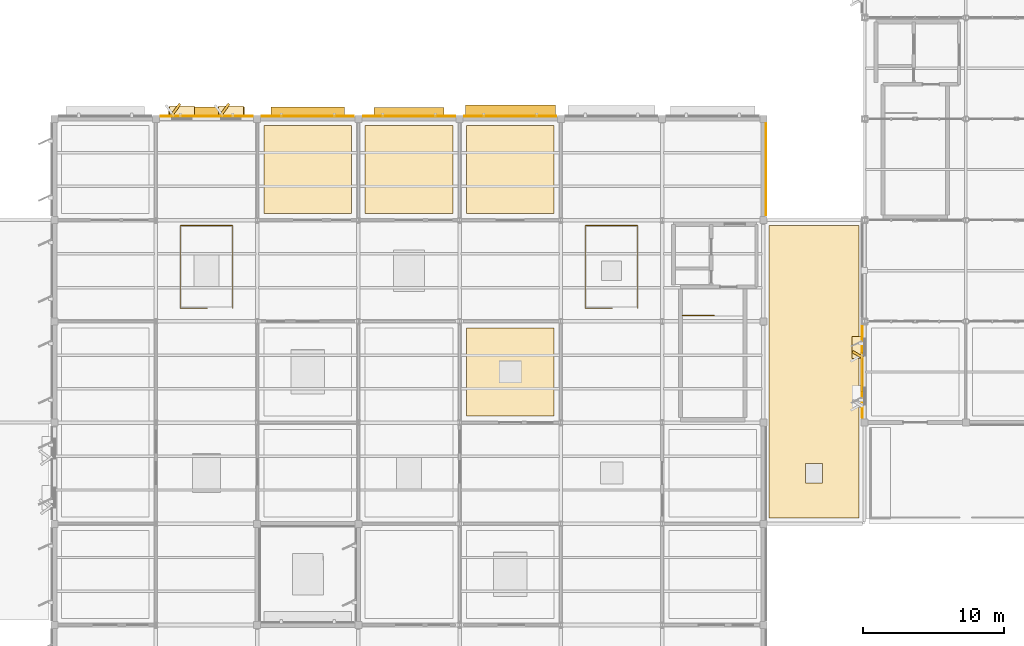
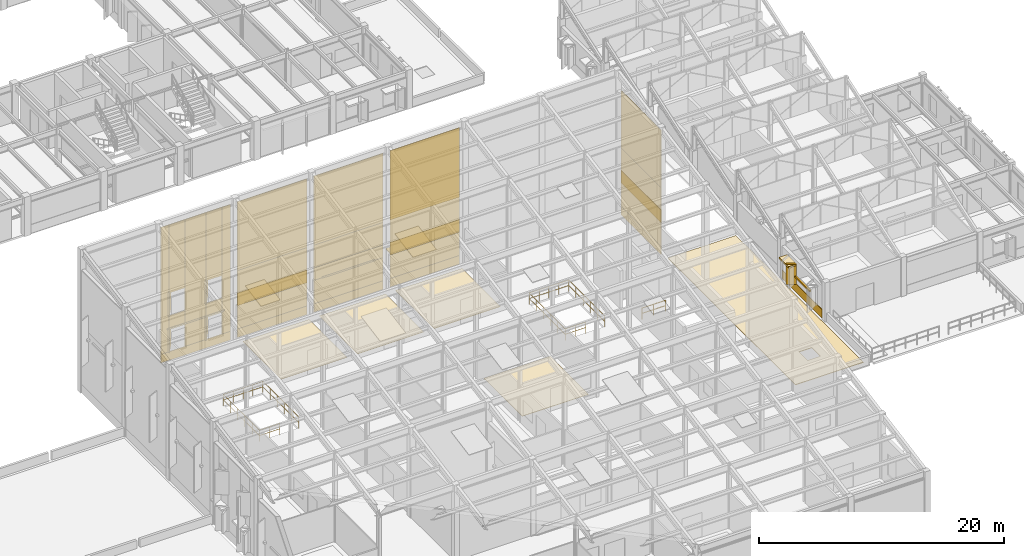
# One storey, part 75 of 82: 36 coverings, 5 shading devices, 3 railings.
"""IFC4 building model written with IfcOpenShell, lengths in metres."""

from ifc_helpers import new_model, si_unit, direction, frame, frame_2d, origin, origin_2d, place, context, subcontext, project, spatial, polyline, rectangle, circle, outline, extrude, material, layer, layer_set, type_object, element, save


model = new_model("IFC4")

# Units and contexts
model_context = context("Model", 3, precision=1e-05, world=origin(), true_north=direction((0.0, 1.0)))
body_context = subcontext(model_context, "Body", "Model", "MODEL_VIEW")
ifc_project = project(units=[si_unit("LENGTHUNIT", "METRE"), si_unit("AREAUNIT", "SQUARE_METRE"), si_unit("VOLUMEUNIT", "CUBIC_METRE"), si_unit("PLANEANGLEUNIT", "RADIAN"), si_unit("MASSUNIT", "GRAM", prefix="KILO")], contexts=[model_context])

# Site, building, storey
site_placement = place(None, origin())
site = spatial("IfcSite", under=ifc_project, at=site_placement, CompositionType="ELEMENT")
building_placement = place(site_placement, origin())
building = spatial("IfcBuilding", under=site, at=building_placement, Name="Sillqori Civic Hall", CompositionType="ELEMENT")
storey_placement = place(building_placement, frame((0.0, 0.0, 14.10009765625)))
storey = spatial("IfcBuildingStorey", under=building, at=storey_placement, Name="L04", CompositionType="ELEMENT", Elevation=14.10009765625)

# Coverings
ifc_material_1 = material(Name="Cochabamba Honed Limestone Cladding", Category="masonry")
ifc_layer_1 = layer(ifc_material_1, 0.044921875)
ifc_layer_set_1 = layer_set([ifc_layer_1], Name="Cochabamba Honed Limestone Cladding")
covering_type_1 = type_object("IfcCoveringType", Name="COV-CLAD-LIME", PredefinedType="CLADDING", material=ifc_layer_set_1)
covering_1_placement = place(storey_placement, frame((72.330078125, 57.780029296875, 0.039794921875), z_axis=(0.0, 0.0, 1.0), x_axis=(1.0, 0.0, 0.0)))
element("IfcCovering", 1, at=covering_1_placement, inside=storey, type_object=covering_type_1, Name="L04 limestone spandrel cladding L04-10-07-N", PredefinedType="CLADDING", context=body_context, shape_type="SweptSolid", body=[
    extrude(rectangle(XDim=6.5400390625, YDim=0.044921875, at=frame_2d((3.27001953125, 0.0))), origin(), (0.0, 0.0, 1.0), 0.860107421875),
])
covering_2_placement = place(storey_placement, frame((72.330078125, 57.780029296875, 3.219970703125), z_axis=(0.0, 0.0, 1.0), x_axis=(1.0, 0.0, 0.0)))
element("IfcCovering", 2, at=covering_2_placement, inside=storey, type_object=covering_type_1, Name="L04 limestone mid-spandrel cladding L04-10-07-N", PredefinedType="CLADDING", context=body_context, shape_type="SweptSolid", body=[
    extrude(rectangle(XDim=6.5400390625, YDim=0.044921875, at=frame_2d((3.27001953125, 0.0))), origin(), (0.0, 0.0, 1.0), 1.260009765625),
])
covering_3_placement = place(storey_placement, frame((72.330078125, 57.780029296875, 6.719970703125), z_axis=(0.0, 0.0, 1.0), x_axis=(1.0, 0.0, 0.0)))
element("IfcCovering", 3, at=covering_3_placement, inside=storey, type_object=covering_type_1, Name="L04 limestone frieze cladding L04-10-07-N", PredefinedType="CLADDING", context=body_context, shape_type="SweptSolid", body=[
    extrude(rectangle(XDim=6.5400390625, YDim=0.044921875, at=frame_2d((3.27001953125, 0.0))), origin(), (0.0, 0.0, 1.0), 6.817626953125),
])
covering_4_placement = place(storey_placement, frame((72.330078125, 57.780029296875, 0.89990234375), z_axis=(0.0, 0.0, 1.0), x_axis=(1.0, 0.0, 0.0)))
element("IfcCovering", 4, at=covering_4_placement, inside=storey, type_object=covering_type_1, Name="L04 Wedge Hall limestone pier cladding L04-10-07-N.1", PredefinedType="CLADDING", context=body_context, shape_type="SweptSolid", body=[
    extrude(rectangle(XDim=0.787841796875, YDim=0.044921875, at=frame_2d((0.39404296875, 0.0))), origin(), (0.0, 0.0, 1.0), 12.6376953125),
])
covering_5_placement = place(storey_placement, frame((74.597900390625, 57.780029296875, 0.89990234375), z_axis=(0.0, 0.0, 1.0), x_axis=(1.0, 0.0, 0.0)))
element("IfcCovering", 5, at=covering_5_placement, inside=storey, type_object=covering_type_1, Name="L04 Wedge Hall limestone pier cladding L04-10-07-N.2", PredefinedType="CLADDING", context=body_context, shape_type="SweptSolid", body=[
    extrude(rectangle(XDim=2.004150390625, YDim=0.044921875, at=frame_2d((1.001953125, 0.0))), origin(), (0.0, 0.0, 1.0), 12.6376953125),
])
covering_6_placement = place(storey_placement, frame((78.08203125, 57.780029296875, 0.89990234375), z_axis=(0.0, 0.0, 1.0), x_axis=(1.0, 0.0, 0.0)))
element("IfcCovering", 6, at=covering_6_placement, inside=storey, type_object=covering_type_1, Name="L04 Wedge Hall limestone pier cladding L04-10-07-N.3", PredefinedType="CLADDING", context=body_context, shape_type="SweptSolid", body=[
    extrude(rectangle(XDim=0.7880859375, YDim=0.044921875, at=frame_2d((0.39404296875, 0.0))), origin(), (0.0, 0.0, 1.0), 12.6376953125),
])
covering_7_placement = place(storey_placement, frame((73.0380859375, 57.739990234375, 0.829833984375), z_axis=(0.0, 0.0, 1.0), x_axis=(0.587805596445, 0.809002213092, 0.0)))
element("IfcCovering", 7, at=covering_7_placement, inside=storey, type_object=covering_type_1, Name="Sawtooth limestone angled reveal cheek L04-10-07-N.1", PredefinedType="CLADDING", context=body_context, shape_type="SweptSolid", body=[
    extrude(rectangle(XDim=1.150146484375, YDim=0.179931640625, at=frame_2d((0.5751953125, 0.0))), origin(), (0.0, 0.0, 1.0), 2.400146484375),
])
covering_8_placement = place(storey_placement, frame((72.97802734375, 58.1201171875, 3.08984375), z_axis=(0.0, 0.0, 1.0), x_axis=(1.0, 0.0, 0.0)))
element("IfcCovering", 8, at=covering_8_placement, inside=storey, type_object=covering_type_1, Name="Sawtooth limestone window hood L04-10-07-N.1", PredefinedType="CLADDING", context=body_context, shape_type="SweptSolid", body=[
    extrude(rectangle(XDim=1.760009765625, YDim=0.780029296875, at=frame_2d((0.8798828125, 0.0))), origin(), (0.0, 0.0, 1.0), 0.14013671875),
])
covering_9_placement = place(storey_placement, frame((73.0380859375, 57.739990234375, 4.449951171875), z_axis=(0.0, 0.0, 1.0), x_axis=(0.587805596445, 0.809002213092, 0.0)))
element("IfcCovering", 9, at=covering_9_placement, inside=storey, type_object=covering_type_1, Name="Sawtooth limestone upper reveal cheek L04-10-07-N.1", PredefinedType="CLADDING", context=body_context, shape_type="SweptSolid", body=[
    extrude(rectangle(XDim=1.150146484375, YDim=0.179931640625, at=frame_2d((0.5751953125, 0.0))), origin(), (0.0, 0.0, 1.0), 2.35986328125),
])
covering_10_placement = place(storey_placement, frame((76.52197265625, 57.739990234375, 0.829833984375), z_axis=(0.0, 0.0, 1.0), x_axis=(0.587805596445, 0.809002213092, 0.0)))
element("IfcCovering", 10, at=covering_10_placement, inside=storey, type_object=covering_type_1, Name="Sawtooth limestone angled reveal cheek L04-10-07-N.2", PredefinedType="CLADDING", context=body_context, shape_type="SweptSolid", body=[
    extrude(rectangle(XDim=1.150146484375, YDim=0.179931640625, at=frame_2d((0.5751953125, 0.0))), origin(), (0.0, 0.0, 1.0), 2.400146484375),
])
covering_11_placement = place(storey_placement, frame((76.4619140625, 58.1201171875, 3.08984375), z_axis=(0.0, 0.0, 1.0), x_axis=(1.0, 0.0, 0.0)))
element("IfcCovering", 11, at=covering_11_placement, inside=storey, type_object=covering_type_1, Name="Sawtooth limestone window hood L04-10-07-N.2", PredefinedType="CLADDING", context=body_context, shape_type="SweptSolid", body=[
    extrude(rectangle(XDim=1.760009765625, YDim=0.780029296875, at=frame_2d((0.8798828125, 0.0))), origin(), (0.0, 0.0, 1.0), 0.14013671875),
])
covering_12_placement = place(storey_placement, frame((76.52197265625, 57.739990234375, 4.449951171875), z_axis=(0.0, 0.0, 1.0), x_axis=(0.587805596445, 0.809002213092, 0.0)))
element("IfcCovering", 12, at=covering_12_placement, inside=storey, type_object=covering_type_1, Name="Sawtooth limestone upper reveal cheek L04-10-07-N.2", PredefinedType="CLADDING", context=body_context, shape_type="SweptSolid", body=[
    extrude(rectangle(XDim=1.150146484375, YDim=0.179931640625, at=frame_2d((0.5751953125, 0.0))), origin(), (0.0, 0.0, 1.0), 2.35986328125),
])
covering_13_placement = place(storey_placement, frame((79.530029296875, 57.780029296875, 0.039794921875), z_axis=(0.0, 0.0, 1.0), x_axis=(1.0, 0.0, 0.0)))
element("IfcCovering", 13, at=covering_13_placement, inside=storey, type_object=covering_type_1, Name="L04 limestone spandrel cladding L04-11-07-N", PredefinedType="CLADDING", context=body_context, shape_type="SweptSolid", body=[
    extrude(rectangle(XDim=6.5400390625, YDim=0.044921875, at=frame_2d((3.27001953125, 0.0))), origin(), (0.0, 0.0, 1.0), 0.860107421875),
])
covering_14_placement = place(storey_placement, frame((79.530029296875, 57.780029296875, 3.219970703125), z_axis=(0.0, 0.0, 1.0), x_axis=(1.0, 0.0, 0.0)))
element("IfcCovering", 14, at=covering_14_placement, inside=storey, type_object=covering_type_1, Name="L04 limestone mid-spandrel cladding L04-11-07-N", PredefinedType="CLADDING", context=body_context, shape_type="SweptSolid", body=[
    extrude(rectangle(XDim=6.5400390625, YDim=0.044921875, at=frame_2d((3.27001953125, 0.0))), origin(), (0.0, 0.0, 1.0), 1.260009765625),
])
covering_15_placement = place(storey_placement, frame((79.530029296875, 57.780029296875, 6.719970703125), z_axis=(0.0, 0.0, 1.0), x_axis=(1.0, 0.0, 0.0)))
element("IfcCovering", 15, at=covering_15_placement, inside=storey, type_object=covering_type_1, Name="L04 limestone frieze cladding L04-11-07-N", PredefinedType="CLADDING", context=body_context, shape_type="SweptSolid", body=[
    extrude(rectangle(XDim=6.5400390625, YDim=0.044921875, at=frame_2d((3.27001953125, 0.0))), origin(), (0.0, 0.0, 1.0), 6.84619140625),
])
covering_16_placement = place(storey_placement, frame((79.530029296875, 57.780029296875, 0.89990234375), z_axis=(0.0, 0.0, 1.0), x_axis=(1.0, 0.0, 0.0)))
element("IfcCovering", 16, at=covering_16_placement, inside=storey, type_object=covering_type_1, Name="L04 Wedge Hall limestone pier cladding L04-11-07-N.1", PredefinedType="CLADDING", context=body_context, shape_type="SweptSolid", body=[
    extrude(rectangle(XDim=6.5400390625, YDim=0.044921875, at=frame_2d((3.27001953125, 0.0))), origin(), (0.0, 0.0, 1.0), 12.666259765625),
])
covering_17_placement = place(storey_placement, frame((86.72998046875, 57.780029296875, 0.039794921875), z_axis=(0.0, 0.0, 1.0), x_axis=(1.0, 0.0, 0.0)))
element("IfcCovering", 17, at=covering_17_placement, inside=storey, type_object=covering_type_1, Name="L04 limestone spandrel cladding L04-12-07-N", PredefinedType="CLADDING", context=body_context, shape_type="SweptSolid", body=[
    extrude(rectangle(XDim=6.5400390625, YDim=0.044921875, at=frame_2d((3.27001953125, 0.0))), origin(), (0.0, 0.0, 1.0), 0.860107421875),
])
covering_18_placement = place(storey_placement, frame((86.72998046875, 57.780029296875, 3.219970703125), z_axis=(0.0, 0.0, 1.0), x_axis=(1.0, 0.0, 0.0)))
element("IfcCovering", 18, at=covering_18_placement, inside=storey, type_object=covering_type_1, Name="L04 limestone mid-spandrel cladding L04-12-07-N", PredefinedType="CLADDING", context=body_context, shape_type="SweptSolid", body=[
    extrude(rectangle(XDim=6.5400390625, YDim=0.044921875, at=frame_2d((3.27001953125, 0.0))), origin(), (0.0, 0.0, 1.0), 1.260009765625),
])
covering_19_placement = place(storey_placement, frame((86.72998046875, 57.780029296875, 6.719970703125), z_axis=(0.0, 0.0, 1.0), x_axis=(1.0, 0.0, 0.0)))
element("IfcCovering", 19, at=covering_19_placement, inside=storey, type_object=covering_type_1, Name="L04 limestone frieze cladding L04-12-07-N", PredefinedType="CLADDING", context=body_context, shape_type="SweptSolid", body=[
    extrude(rectangle(XDim=6.5400390625, YDim=0.044921875, at=frame_2d((3.27001953125, 0.0))), origin(), (0.0, 0.0, 1.0), 6.874755859375),
])
covering_20_placement = place(storey_placement, frame((86.72998046875, 57.780029296875, 0.89990234375), z_axis=(0.0, 0.0, 1.0), x_axis=(1.0, 0.0, 0.0)))
element("IfcCovering", 20, at=covering_20_placement, inside=storey, type_object=covering_type_1, Name="L04 Wedge Hall limestone pier cladding L04-12-07-N.1", PredefinedType="CLADDING", context=body_context, shape_type="SweptSolid", body=[
    extrude(rectangle(XDim=6.5400390625, YDim=0.044921875, at=frame_2d((3.27001953125, 0.0))), origin(), (0.0, 0.0, 1.0), 12.69482421875),
])
covering_21_placement = place(storey_placement, frame((93.929931640625, 57.780029296875, 0.039794921875), z_axis=(0.0, 0.0, 1.0), x_axis=(1.0, 0.0, 0.0)))
element("IfcCovering", 21, at=covering_21_placement, inside=storey, type_object=covering_type_1, Name="L04 limestone spandrel cladding L04-13-07-N", PredefinedType="CLADDING", context=body_context, shape_type="SweptSolid", body=[
    extrude(rectangle(XDim=6.5400390625, YDim=0.044921875, at=frame_2d((3.27001953125, 0.0))), origin(), (0.0, 0.0, 1.0), 0.860107421875),
])
covering_22_placement = place(storey_placement, frame((93.929931640625, 57.780029296875, 3.219970703125), z_axis=(0.0, 0.0, 1.0), x_axis=(1.0, 0.0, 0.0)))
element("IfcCovering", 22, at=covering_22_placement, inside=storey, type_object=covering_type_1, Name="L04 limestone mid-spandrel cladding L04-13-07-N", PredefinedType="CLADDING", context=body_context, shape_type="SweptSolid", body=[
    extrude(rectangle(XDim=6.5400390625, YDim=0.044921875, at=frame_2d((3.27001953125, 0.0))), origin(), (0.0, 0.0, 1.0), 1.260009765625),
])
covering_23_placement = place(storey_placement, frame((93.929931640625, 57.780029296875, 6.719970703125), z_axis=(0.0, 0.0, 1.0), x_axis=(1.0, 0.0, 0.0)))
element("IfcCovering", 23, at=covering_23_placement, inside=storey, type_object=covering_type_1, Name="L04 limestone frieze cladding L04-13-07-N", PredefinedType="CLADDING", context=body_context, shape_type="SweptSolid", body=[
    extrude(rectangle(XDim=6.5400390625, YDim=0.044921875, at=frame_2d((3.27001953125, 0.0))), origin(), (0.0, 0.0, 1.0), 6.9033203125),
])
covering_24_placement = place(storey_placement, frame((93.929931640625, 57.780029296875, 0.89990234375), z_axis=(0.0, 0.0, 1.0), x_axis=(1.0, 0.0, 0.0)))
element("IfcCovering", 24, at=covering_24_placement, inside=storey, type_object=covering_type_1, Name="L04 Wedge Hall limestone pier cladding L04-13-07-N.1", PredefinedType="CLADDING", context=body_context, shape_type="SweptSolid", body=[
    extrude(rectangle(XDim=6.5400390625, YDim=0.044921875, at=frame_2d((3.27001953125, 0.0))), origin(), (0.0, 0.0, 1.0), 12.723388671875),
])
covering_25_placement = place(storey_placement, frame((115.3798828125, 57.27001953125, 0.039794921875), z_axis=(0.0, 0.0, 1.0), x_axis=(0.0, -1.0, 0.0)))
element("IfcCovering", 25, at=covering_25_placement, inside=storey, type_object=covering_type_1, Name="L04 limestone spandrel cladding L04-15-07-E", PredefinedType="CLADDING", context=body_context, shape_type="SweptSolid", body=[
    extrude(rectangle(XDim=6.5400390625, YDim=0.044921875, at=frame_2d((3.27001953125, 0.0))), origin(), (0.0, 0.0, 1.0), 0.860107421875),
])
covering_26_placement = place(storey_placement, frame((115.3798828125, 57.27001953125, 3.219970703125), z_axis=(0.0, 0.0, 1.0), x_axis=(0.0, -1.0, 0.0)))
element("IfcCovering", 26, at=covering_26_placement, inside=storey, type_object=covering_type_1, Name="L04 limestone mid-spandrel cladding L04-15-07-E", PredefinedType="CLADDING", context=body_context, shape_type="SweptSolid", body=[
    extrude(rectangle(XDim=6.5400390625, YDim=0.044921875, at=frame_2d((3.27001953125, 0.0))), origin(), (0.0, 0.0, 1.0), 1.260009765625),
])
covering_27_placement = place(storey_placement, frame((115.3798828125, 57.27001953125, 6.719970703125), z_axis=(0.0, 0.0, 1.0), x_axis=(0.0, -1.0, 0.0)))
element("IfcCovering", 27, at=covering_27_placement, inside=storey, type_object=covering_type_1, Name="L04 limestone frieze cladding L04-15-07-E", PredefinedType="CLADDING", context=body_context, shape_type="SweptSolid", body=[
    extrude(rectangle(XDim=6.5400390625, YDim=0.044921875, at=frame_2d((3.27001953125, 0.0))), origin(), (0.0, 0.0, 1.0), 5.6904296875),
])
covering_28_placement = place(storey_placement, frame((115.3798828125, 57.27001953125, 0.89990234375), z_axis=(0.0, 0.0, 1.0), x_axis=(0.0, -1.0, 0.0)))
element("IfcCovering", 28, at=covering_28_placement, inside=storey, type_object=covering_type_1, Name="L04 Wedge Hall limestone pier cladding L04-15-07-E.1", PredefinedType="CLADDING", context=body_context, shape_type="SweptSolid", body=[
    extrude(rectangle(XDim=6.5400390625, YDim=0.044921875, at=frame_2d((3.27001953125, 0.0))), origin(), (0.0, 0.0, 1.0), 11.510498046875),
])
covering_29_placement = place(storey_placement, frame((122.22998046875, 36.330078125, 0.039794921875), z_axis=(0.0, 0.0, 1.0), x_axis=(0.0, 1.0, 0.0)))
element("IfcCovering", 29, at=covering_29_placement, inside=storey, type_object=covering_type_1, Name="L04 limestone spandrel cladding L04-17-05-W", PredefinedType="CLADDING", context=body_context, shape_type="SweptSolid", body=[
    extrude(rectangle(XDim=6.5400390625, YDim=0.044921875, at=frame_2d((3.27001953125, 0.0))), origin(), (0.0, 0.0, 1.0), 0.860107421875),
])
covering_30_placement = place(storey_placement, frame((122.27001953125, 40.6220703125, 0.829833984375), z_axis=(0.0, 0.0, 1.0), x_axis=(-0.865989465428, 0.500062241894, 0.0)))
element("IfcCovering", 30, at=covering_30_placement, inside=storey, type_object=covering_type_1, Name="Sawtooth limestone angled reveal cheek L04-17-05-W.2", PredefinedType="CLADDING", context=body_context, shape_type="SweptSolid", body=[
    extrude(rectangle(XDim=0.85009765625, YDim=0.179931640625, at=frame_2d((0.425048828125, 0.0))), origin(), (0.0, 0.0, 1.0), 2.0),
])
covering_31_placement = place(storey_placement, frame((121.889892578125, 40.56201171875, 2.68994140625), z_axis=(0.0, 0.0, 1.0), x_axis=(0.0, 1.0, 0.0)))
element("IfcCovering", 31, at=covering_31_placement, inside=storey, type_object=covering_type_1, Name="Sawtooth limestone window hood L04-17-05-W.2", PredefinedType="CLADDING", context=body_context, shape_type="SweptSolid", body=[
    extrude(rectangle(XDim=1.56005859375, YDim=0.780029296875, at=frame_2d((0.780029296875, 0.0))), origin(), (0.0, 0.0, 1.0), 0.139892578125),
])
ifc_material_2 = material(Name="Vitrified Porcelain Tile 18", Category="ceramic")
ifc_layer_2 = layer(ifc_material_2, 0.01806640625)
ifc_layer_set_2 = layer_set([ifc_layer_2], Name="Vitrified Porcelain Tile 18")
covering_type_2 = type_object("IfcCoveringType", Name="COV-FLR-P18", PredefinedType="FLOORING", material=ifc_layer_set_2)
covering_32_placement = place(storey_placement, origin())
element("IfcCovering", 32, at=covering_32_placement, inside=storey, type_object=covering_type_2, Name="Civic Architecture Model Gallery L04-08 floor finish", PredefinedType="FLOORING", context=body_context, shape_type="SweptSolid", body=[
    extrude(outline(polyline([(79.679931640625, 50.8798828125), (85.919921875, 50.8798828125), (85.919921875, 57.1201171875), (79.679931640625, 57.1201171875), (79.679931640625, 50.8798828125)])), origin(), (0.0, 0.0, 1.0), 0.017822265625),
])
ifc_material_3 = material(Name="Engineered Tajibo Hardwood Flooring", Category="wood")
ifc_layer_3 = layer(ifc_material_3, 0.02587890625)
ifc_layer_set_3 = layer_set([ifc_layer_3], Name="Engineered Tajibo Hardwood Flooring")
covering_type_3 = type_object("IfcCoveringType", Name="COV-FLR-PRQ", PredefinedType="FLOORING", material=ifc_layer_set_3)
covering_33_placement = place(storey_placement, origin())
element("IfcCovering", 33, at=covering_33_placement, inside=storey, type_object=covering_type_3, Name="Civic Architecture Model Gallery L04-12 floor finish", PredefinedType="FLOORING", context=body_context, shape_type="SweptSolid", body=[
    extrude(outline(polyline([(86.8798828125, 50.8798828125), (93.1201171875, 50.8798828125), (93.1201171875, 57.1201171875), (86.8798828125, 57.1201171875), (86.8798828125, 50.8798828125)])), origin(), (0.0, 0.0, 1.0), 0.02587890625),
])
ifc_material_4 = material(Name="Honed Comanche Sandstone Paving 38", Category="masonry")
ifc_layer_4 = layer(ifc_material_4, 0.0380859375)
ifc_layer_set_4 = layer_set([ifc_layer_4], Name="Honed Comanche Sandstone Paving 38")
covering_type_4 = type_object("IfcCoveringType", Name="COV-FLR-S38", PredefinedType="FLOORING", material=ifc_layer_set_4)
covering_34_placement = place(storey_placement, origin())
element("IfcCovering", 34, at=covering_34_placement, inside=storey, type_object=covering_type_4, Name="Citizen Innovation and Open-Data Studio L04-15 floor finish", PredefinedType="FLOORING", context=body_context, shape_type="SweptSolid", body=[
    extrude(outline(polyline([(94.080078125, 36.47998046875), (100.320068359375, 36.47998046875), (100.320068359375, 42.719970703125), (94.080078125, 42.719970703125), (94.080078125, 36.47998046875)])), origin(), (0.0, 0.0, 1.0), 0.037841796875),
])
ifc_material_5 = material(Name="Honed Comanche Sandstone Paving 44", Category="masonry")
ifc_layer_5 = layer(ifc_material_5, 0.0439453125)
ifc_layer_set_5 = layer_set([ifc_layer_5], Name="Honed Comanche Sandstone Paving 44")
covering_type_5 = type_object("IfcCoveringType", Name="COV-FLR-S44", PredefinedType="FLOORING", material=ifc_layer_set_5)
covering_35_placement = place(storey_placement, origin())
element("IfcCovering", 35, at=covering_35_placement, inside=storey, type_object=covering_type_5, Name="Civic Architecture Model Gallery L04-16 floor finish", PredefinedType="FLOORING", context=body_context, shape_type="SweptSolid", body=[
    extrude(outline(polyline([(94.080078125, 50.8798828125), (100.320068359375, 50.8798828125), (100.320068359375, 57.1201171875), (94.080078125, 57.1201171875), (94.080078125, 50.8798828125)])), origin(), (0.0, 0.0, 1.0), 0.0439453125),
])
ifc_material_6 = material(Name="Insulated Standing-Seam Solar Roof Membrane", Category="membrane")
ifc_layer_6 = layer(ifc_material_6, 0.054931640625)
ifc_layer_set_6 = layer_set([ifc_layer_6], Name="Insulated Standing-Seam Solar Roof Membrane")
covering_type_6 = type_object("IfcCoveringType", Name="COV-ROOF-TPO", PredefinedType="ROOFING", material=ifc_layer_set_6)
covering_36_placement = place(storey_placement, origin())
element("IfcCovering", 36, at=covering_36_placement, inside=storey, type_object=covering_type_6, Name="L04 insulated TPO roof membrane ROOF-FLAT-L03-2", PredefinedType="ROOFING", context=body_context, shape_type="SweptSolid", body=[
    extrude(outline(polyline([(115.60009765625, 29.199951171875), (122.0, 29.199951171875), (122.0, 50.0), (115.60009765625, 50.0), (115.60009765625, 29.199951171875)]), holes=[polyline([(118.199951171875, 31.699951171875), (118.199951171875, 33.10009765625), (119.39990234375, 33.10009765625), (119.39990234375, 31.699951171875), (118.199951171875, 31.699951171875)])]), origin(), (0.0, 0.0, 1.0), 0.054931640625),
])

# Railings
ifc_material_7 = material(Name="Architectural Bronze and Tempered Glass Balustrade", Category="glass")
ifc_layer_7 = layer(ifc_material_7, 0.080078125)
ifc_layer_set_7 = layer_set([ifc_layer_7], Name="Architectural Bronze and Tempered Glass Balustrade")
railing_type_1 = type_object("IfcRailingType", Name="RLG-BALU-115", PredefinedType="BALUSTRADE", material=ifc_layer_set_7)
railing_1_placement = place(storey_placement, frame((75.659912109375, 44.139892578125, 0.0)))
element("IfcRailing", 37, at=railing_1_placement, inside=storey, type_object=railing_type_1, Name="Wedge Atrium Upper West Stair L03-L04 upper atrium well balustrade", PredefinedType="BALUSTRADE", context=body_context, shape_type="SweptSolid", body=[
    extrude(circle(Radius=0.02392578125, at=origin_2d()), frame((0.0, 0.0, 1.1259765625), z_axis=(-1.0, 0.0, 0.0), x_axis=(0.0, -1.0, 0.0)), (0.0, 0.0, 1.0), 1.919921875),
    extrude(circle(Radius=0.02392578125, at=origin_2d()), frame((0.0, 0.0, 0.574951171875), z_axis=(-1.0, 0.0, 0.0), x_axis=(0.0, -1.0, 0.0)), (0.0, 0.0, 1.0), 1.919921875),
    extrude(circle(Radius=0.02392578125, at=origin_2d()), frame((-1.919921875, 0.0, 1.1259765625), z_axis=(0.0, 1.0, 0.0), x_axis=(-1.0, 0.0, 0.0)), (0.0, 0.0, 1.0), 5.8701171875),
    extrude(circle(Radius=0.02392578125, at=origin_2d()), frame((-1.919921875, 0.0, 0.574951171875), z_axis=(0.0, 1.0, 0.0), x_axis=(-1.0, 0.0, 0.0)), (0.0, 0.0, 1.0), 5.8701171875),
    extrude(circle(Radius=0.02392578125, at=origin_2d()), frame((-1.919921875, 5.8701171875, 1.1259765625), z_axis=(1.0, 0.0, 0.0), x_axis=(0.0, 1.0, 0.0)), (0.0, 0.0, 1.0), 3.719970703125),
    extrude(circle(Radius=0.02392578125, at=origin_2d()), frame((-1.919921875, 5.8701171875, 0.574951171875), z_axis=(1.0, 0.0, 0.0), x_axis=(0.0, 1.0, 0.0)), (0.0, 0.0, 1.0), 3.719970703125),
    extrude(circle(Radius=0.02392578125, at=origin_2d()), frame((1.800048828125, 5.8701171875, 1.1259765625), z_axis=(0.0, -1.0, 0.0), x_axis=(1.0, 0.0, 0.0)), (0.0, 0.0, 1.0), 5.8701171875),
    extrude(circle(Radius=0.02392578125, at=origin_2d()), frame((1.800048828125, 5.8701171875, 0.574951171875), z_axis=(0.0, -1.0, 0.0), x_axis=(1.0, 0.0, 0.0)), (0.0, 0.0, 1.0), 5.8701171875),
    extrude(circle(Radius=0.02099609375, at=origin_2d()), origin(), (0.0, 0.0, 1.0), 1.101806640625),
    extrude(circle(Radius=0.02099609375, at=origin_2d()), frame((-0.9599609375, 0.0, 0.0)), (0.0, 0.0, 1.0), 1.101806640625),
    extrude(circle(Radius=0.02099609375, at=origin_2d()), frame((-1.919921875, 0.0, 0.0)), (0.0, 0.0, 1.0), 1.101806640625),
    extrude(circle(Radius=0.02099609375, at=origin_2d()), frame((-1.919921875, 1.174072265625, 0.0)), (0.0, 0.0, 1.0), 1.101806640625),
    extrude(circle(Radius=0.02099609375, at=origin_2d()), frame((-1.919921875, 2.34814453125, 0.0)), (0.0, 0.0, 1.0), 1.101806640625),
    extrude(circle(Radius=0.02099609375, at=origin_2d()), frame((-1.919921875, 3.52197265625, 0.0)), (0.0, 0.0, 1.0), 1.101806640625),
    extrude(circle(Radius=0.02099609375, at=origin_2d()), frame((-1.919921875, 4.696044921875, 0.0)), (0.0, 0.0, 1.0), 1.101806640625),
    extrude(circle(Radius=0.02099609375, at=origin_2d()), frame((-1.919921875, 5.8701171875, 0.0)), (0.0, 0.0, 1.0), 1.101806640625),
    extrude(circle(Radius=0.02099609375, at=origin_2d()), frame((-0.989990234375, 5.8701171875, 0.0)), (0.0, 0.0, 1.0), 1.101806640625),
    extrude(circle(Radius=0.02099609375, at=origin_2d()), frame((-0.06005859375, 5.8701171875, 0.0)), (0.0, 0.0, 1.0), 1.101806640625),
    extrude(circle(Radius=0.02099609375, at=origin_2d()), frame((0.8701171875, 5.8701171875, 0.0)), (0.0, 0.0, 1.0), 1.101806640625),
    extrude(circle(Radius=0.02099609375, at=origin_2d()), frame((1.800048828125, 5.8701171875, 0.0)), (0.0, 0.0, 1.0), 1.101806640625),
    extrude(circle(Radius=0.02099609375, at=origin_2d()), frame((1.800048828125, 4.696044921875, 0.0)), (0.0, 0.0, 1.0), 1.101806640625),
    extrude(circle(Radius=0.02099609375, at=origin_2d()), frame((1.800048828125, 3.52197265625, 0.0)), (0.0, 0.0, 1.0), 1.101806640625),
    extrude(circle(Radius=0.02099609375, at=origin_2d()), frame((1.800048828125, 2.34814453125, 0.0)), (0.0, 0.0, 1.0), 1.101806640625),
    extrude(circle(Radius=0.02099609375, at=origin_2d()), frame((1.800048828125, 1.174072265625, 0.0)), (0.0, 0.0, 1.0), 1.101806640625),
    extrude(circle(Radius=0.02099609375, at=origin_2d()), frame((1.800048828125, 0.0, 0.0)), (0.0, 0.0, 1.0), 1.101806640625),
])
railing_2_placement = place(storey_placement, frame((104.4599609375, 44.139892578125, 0.0)))
element("IfcRailing", 38, at=railing_2_placement, inside=storey, type_object=railing_type_1, Name="Wedge Atrium Upper East Stair L03-L04 upper atrium well balustrade", PredefinedType="BALUSTRADE", context=body_context, shape_type="SweptSolid", body=[
    extrude(circle(Radius=0.02392578125, at=origin_2d()), frame((0.0, 0.0, 1.1259765625), z_axis=(-1.0, 0.0, 0.0), x_axis=(0.0, -1.0, 0.0)), (0.0, 0.0, 1.0), 1.919921875),
    extrude(circle(Radius=0.02392578125, at=origin_2d()), frame((0.0, 0.0, 0.574951171875), z_axis=(-1.0, 0.0, 0.0), x_axis=(0.0, -1.0, 0.0)), (0.0, 0.0, 1.0), 1.919921875),
    extrude(circle(Radius=0.02392578125, at=origin_2d()), frame((-1.919921875, 0.0, 1.1259765625), z_axis=(0.0, 1.0, 0.0), x_axis=(-1.0, 0.0, 0.0)), (0.0, 0.0, 1.0), 5.8701171875),
    extrude(circle(Radius=0.02392578125, at=origin_2d()), frame((-1.919921875, 0.0, 0.574951171875), z_axis=(0.0, 1.0, 0.0), x_axis=(-1.0, 0.0, 0.0)), (0.0, 0.0, 1.0), 5.8701171875),
    extrude(circle(Radius=0.02392578125, at=origin_2d()), frame((-1.919921875, 5.8701171875, 1.1259765625), z_axis=(1.0, 0.0, 0.0), x_axis=(0.0, 1.0, 0.0)), (0.0, 0.0, 1.0), 3.719970703125),
    extrude(circle(Radius=0.02392578125, at=origin_2d()), frame((-1.919921875, 5.8701171875, 0.574951171875), z_axis=(1.0, 0.0, 0.0), x_axis=(0.0, 1.0, 0.0)), (0.0, 0.0, 1.0), 3.719970703125),
    extrude(circle(Radius=0.02392578125, at=origin_2d()), frame((1.800048828125, 5.8701171875, 1.1259765625), z_axis=(0.0, -1.0, 0.0), x_axis=(1.0, 0.0, 0.0)), (0.0, 0.0, 1.0), 5.8701171875),
    extrude(circle(Radius=0.02392578125, at=origin_2d()), frame((1.800048828125, 5.8701171875, 0.574951171875), z_axis=(0.0, -1.0, 0.0), x_axis=(1.0, 0.0, 0.0)), (0.0, 0.0, 1.0), 5.8701171875),
    extrude(circle(Radius=0.02099609375, at=origin_2d()), origin(), (0.0, 0.0, 1.0), 1.101806640625),
    extrude(circle(Radius=0.02099609375, at=origin_2d()), frame((-0.9599609375, 0.0, 0.0)), (0.0, 0.0, 1.0), 1.101806640625),
    extrude(circle(Radius=0.02099609375, at=origin_2d()), frame((-1.919921875, 0.0, 0.0)), (0.0, 0.0, 1.0), 1.101806640625),
    extrude(circle(Radius=0.02099609375, at=origin_2d()), frame((-1.919921875, 1.174072265625, 0.0)), (0.0, 0.0, 1.0), 1.101806640625),
    extrude(circle(Radius=0.02099609375, at=origin_2d()), frame((-1.919921875, 2.34814453125, 0.0)), (0.0, 0.0, 1.0), 1.101806640625),
    extrude(circle(Radius=0.02099609375, at=origin_2d()), frame((-1.919921875, 3.52197265625, 0.0)), (0.0, 0.0, 1.0), 1.101806640625),
    extrude(circle(Radius=0.02099609375, at=origin_2d()), frame((-1.919921875, 4.696044921875, 0.0)), (0.0, 0.0, 1.0), 1.101806640625),
    extrude(circle(Radius=0.02099609375, at=origin_2d()), frame((-1.919921875, 5.8701171875, 0.0)), (0.0, 0.0, 1.0), 1.101806640625),
    extrude(circle(Radius=0.02099609375, at=origin_2d()), frame((-0.989990234375, 5.8701171875, 0.0)), (0.0, 0.0, 1.0), 1.101806640625),
    extrude(circle(Radius=0.02099609375, at=origin_2d()), frame((-0.06005859375, 5.8701171875, 0.0)), (0.0, 0.0, 1.0), 1.101806640625),
    extrude(circle(Radius=0.02099609375, at=origin_2d()), frame((0.8701171875, 5.8701171875, 0.0)), (0.0, 0.0, 1.0), 1.101806640625),
    extrude(circle(Radius=0.02099609375, at=origin_2d()), frame((1.800048828125, 5.8701171875, 0.0)), (0.0, 0.0, 1.0), 1.101806640625),
    extrude(circle(Radius=0.02099609375, at=origin_2d()), frame((1.800048828125, 4.696044921875, 0.0)), (0.0, 0.0, 1.0), 1.101806640625),
    extrude(circle(Radius=0.02099609375, at=origin_2d()), frame((1.800048828125, 3.52197265625, 0.0)), (0.0, 0.0, 1.0), 1.101806640625),
    extrude(circle(Radius=0.02099609375, at=origin_2d()), frame((1.800048828125, 2.34814453125, 0.0)), (0.0, 0.0, 1.0), 1.101806640625),
    extrude(circle(Radius=0.02099609375, at=origin_2d()), frame((1.800048828125, 1.174072265625, 0.0)), (0.0, 0.0, 1.0), 1.101806640625),
    extrude(circle(Radius=0.02099609375, at=origin_2d()), frame((1.800048828125, 0.0, 0.0)), (0.0, 0.0, 1.0), 1.101806640625),
])
ifc_material_8 = material(Name="Galvanized Painted Steel Guardrail", Category="steel")
ifc_layer_8 = layer(ifc_material_8, 0.050048828125)
ifc_layer_set_8 = layer_set([ifc_layer_8], Name="Galvanized Painted Steel Guardrail")
railing_type_2 = type_object("IfcRailingType", Name="RLG-CORE-110", PredefinedType="GUARDRAIL", material=ifc_layer_set_8)
railing_3_placement = place(storey_placement, frame((109.4599609375, 43.6201171875, 0.0)))
element("IfcRailing", 39, at=railing_3_placement, inside=storey, type_object=railing_type_2, Name="L04 ST-03 top well guard 1", PredefinedType="GUARDRAIL", context=body_context, shape_type="SweptSolid", body=[
    extrude(circle(Radius=0.02392578125, at=origin_2d()), frame((0.0, 0.0, 1.076171875), z_axis=(1.0, 0.0, 0.0), x_axis=(0.0, 1.0, 0.0)), (0.0, 0.0, 1.0), 2.219970703125),
    extrude(circle(Radius=0.02392578125, at=origin_2d()), frame((0.0, 0.0, 0.550048828125), z_axis=(1.0, 0.0, 0.0), x_axis=(0.0, 1.0, 0.0)), (0.0, 0.0, 1.0), 2.219970703125),
    extrude(circle(Radius=0.02099609375, at=origin_2d()), origin(), (0.0, 0.0, 1.0), 1.052001953125),
    extrude(circle(Radius=0.02099609375, at=origin_2d()), frame((1.10986328125, 0.0, 0.0)), (0.0, 0.0, 1.0), 1.052001953125),
    extrude(circle(Radius=0.02099609375, at=origin_2d()), frame((2.219970703125, 0.0, 0.0)), (0.0, 0.0, 1.0), 1.052001953125),
])

# Shading devices
ifc_material_9 = material(Name="Anodized Aluminium Solar Control Louvre", Category="aluminium")
shading_device_type_1 = type_object("IfcShadingDeviceType", Name="SHD-CLAU-280", PredefinedType="SHUTTER", material=ifc_material_9)
shading_device_1_placement = place(storey_placement, frame((122.18994140625, 39.60009765625, 1.52001953125), z_axis=(0.0, 0.0, 1.0), x_axis=(0.0, 1.0, 0.0)))
element("IfcShadingDevice", 40, at=shading_device_1_placement, inside=storey, type_object=shading_device_type_1, Name="L04 pierced claustra screen L04-17-05-W", PredefinedType="SHUTTER", context=body_context, shape_type="SweptSolid", body=[
    extrude(rectangle(XDim=2.800048828125, YDim=0.159912109375, at=origin_2d()), origin(), (0.0, 0.0, 1.0), 0.159912109375),
])
shading_device_type_2 = type_object("IfcShadingDeviceType", Name="SHD-HOOD-500", PredefinedType="JALOUSIE", material=ifc_material_9)
shading_device_2_placement = place(storey_placement, frame((90.0, 58.070068359375, 3.169921875), z_axis=(0.0, 0.0, 1.0), x_axis=(1.0, 0.0, 0.0)))
element("IfcShadingDevice", 41, at=shading_device_2_placement, inside=storey, type_object=shading_device_type_2, Name="L04 north solar hood L04-12-07-N", PredefinedType="JALOUSIE", context=body_context, shape_type="SweptSolid", body=[
    extrude(rectangle(XDim=5.0, YDim=0.64990234375, at=origin_2d()), origin(), (0.0, 0.0, 1.0), 0.139892578125),
])
shading_device_type_3 = type_object("IfcShadingDeviceType", Name="SHD-HOOD-520", PredefinedType="JALOUSIE", material=ifc_material_9)
shading_device_3_placement = place(storey_placement, frame((82.800048828125, 58.0849609375, 3.2197265625), z_axis=(0.0, 0.0, 1.0), x_axis=(1.0, 0.0, 0.0)))
element("IfcShadingDevice", 42, at=shading_device_3_placement, inside=storey, type_object=shading_device_type_3, Name="L04 north solar hood L04-11-07-N", PredefinedType="JALOUSIE", context=body_context, shape_type="SweptSolid", body=[
    extrude(rectangle(XDim=5.199951171875, YDim=0.679931640625, at=origin_2d()), origin(), (0.0, 0.0, 1.0), 0.139892578125),
])
shading_device_type_4 = type_object("IfcShadingDeviceType", Name="SHD-HOOD-540", PredefinedType="JALOUSIE", material=ifc_material_9)
shading_device_4_placement = place(storey_placement, frame((75.60009765625, 58.094970703125, 3.1201171875), z_axis=(0.0, 0.0, 1.0), x_axis=(1.0, 0.0, 0.0)))
element("IfcShadingDevice", 43, at=shading_device_4_placement, inside=storey, type_object=shading_device_type_4, Name="L04 north solar hood L04-10-07-N", PredefinedType="JALOUSIE", context=body_context, shape_type="SweptSolid", body=[
    extrude(rectangle(XDim=5.39990234375, YDim=0.699951171875, at=origin_2d()), origin(), (0.0, 0.0, 1.0), 0.139892578125),
])
shading_device_type_5 = type_object("IfcShadingDeviceType", Name="SHD-HOOD-640", PredefinedType="JALOUSIE", material=ifc_material_9)
shading_device_5_placement = place(storey_placement, frame((97.199951171875, 58.169921875, 3.2197265625), z_axis=(0.0, 0.0, 1.0), x_axis=(1.0, 0.0, 0.0)))
element("IfcShadingDevice", 44, at=shading_device_5_placement, inside=storey, type_object=shading_device_type_5, Name="L04 north solar hood L04-13-07-N", PredefinedType="JALOUSIE", context=body_context, shape_type="SweptSolid", body=[
    extrude(rectangle(XDim=6.39990234375, YDim=0.85009765625, at=origin_2d()), origin(), (0.0, 0.0, 1.0), 0.139892578125),
])

save(model, "model.ifc")
